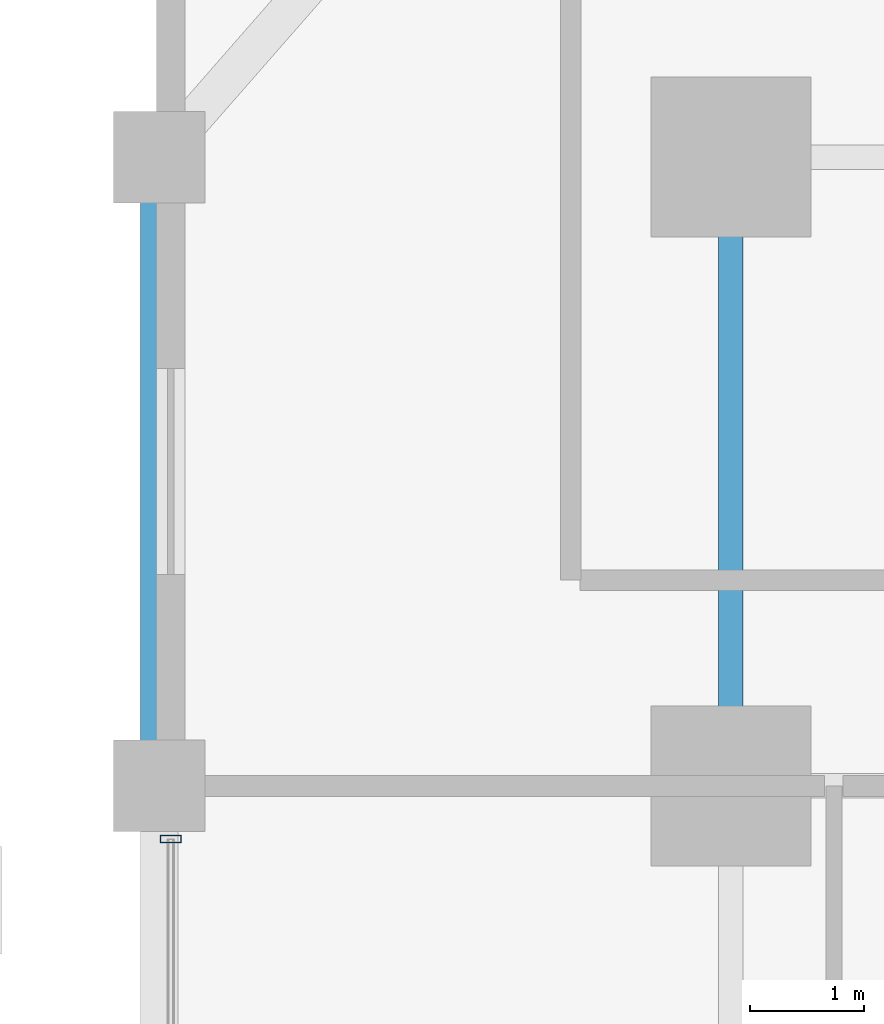
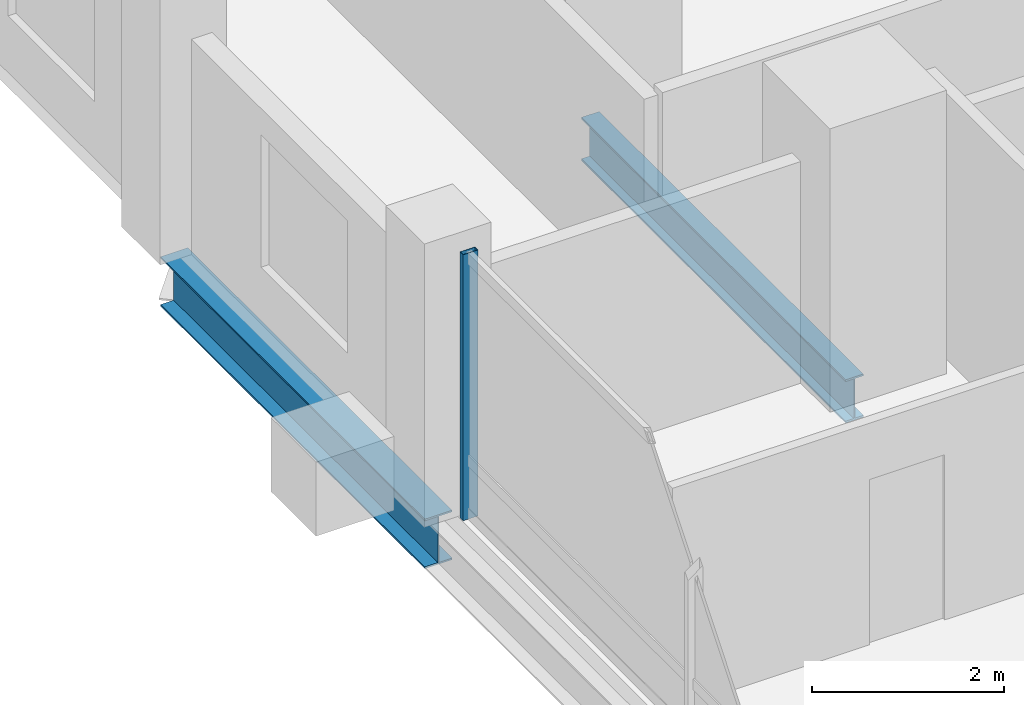
# One storey, part 11 of 23: 2 beams, 1 member, 1 element without a shape of its own.
"""IFC4 building model written with IfcOpenShell, lengths in metres."""

from ifc_helpers import new_model, si_unit, direction, frame, origin, origin_2d, place, context, subcontext, project, spatial, hollow_rectangle, i_section, extrude, material, layer, layer_set, material_profile, profile_set, type_object, element, aggregate, save


model = new_model("IFC4")

# Units and contexts
model_context = context("Model", 3, precision=1e-05, world=origin(), true_north=direction((0.0, 1.0)))
body_context = subcontext(model_context, "Body", "Model", "MODEL_VIEW")
ifc_project = project(units=[si_unit("LENGTHUNIT", "METRE"), si_unit("AREAUNIT", "SQUARE_METRE"), si_unit("VOLUMEUNIT", "CUBIC_METRE"), si_unit("PLANEANGLEUNIT", "RADIAN"), si_unit("MASSUNIT", "GRAM", prefix="KILO")], contexts=[model_context])

# Site, building, storey
site_placement = place(None, origin())
site = spatial("IfcSite", under=ifc_project, at=site_placement, CompositionType="ELEMENT")
building_placement = place(site_placement, origin())
building = spatial("IfcBuilding", under=site, at=building_placement, Name="Barlavira Tower and Art Museum", CompositionType="ELEMENT")
storey_placement = place(building_placement, frame((0.0, 0.0, 64.800048828125)))
storey = spatial("IfcBuildingStorey", under=building, at=storey_placement, Name="L15", CompositionType="ELEMENT", Elevation=64.800048828125)

# Curtain wall, member
ifc_material_1 = material(Name="Low-iron coastal laminated glass", Category="glass")
ifc_layer = layer(ifc_material_1, 0.179931640625, Name="Low-iron coastal laminated glass")
ifc_layer_set = layer_set([ifc_layer], Name="Low-iron coastal laminated glass")
curtain_wall_type = type_object("IfcCurtainWallType", Name="Pale-Metal Unitised Curtain Wall Zone 1", PredefinedType="NOTDEFINED", material=ifc_layer_set)
curtain_wall_placement = place(storey_placement, origin())
curtain_wall = element("IfcCurtainWall", 1, at=curtain_wall_placement, inside=storey, type_object=curtain_wall_type, Name="L15 Curtain Wall CW1-L15-W-B3", PredefinedType="NOTDEFINED")
ifc_material_2 = material(Name="Pale anodised aluminium", Category="aluminium")
ifc_material_profile_1 = material_profile(ifc_material_2, hollow_rectangle(XDim=0.06494140625, YDim=0.179931640625, WallThickness=0.00390625, at=origin_2d()), Name="ALU-MULL 65x180x4")
ifc_profile_set_1 = profile_set([ifc_material_profile_1], Name="Pale anodised aluminium")
member_type = type_object("IfcMemberType", Name="Curtain Wall Pale-Metal Mullion 65x180", PredefinedType="MULLION", material=ifc_profile_set_1)
member_placement = place(storey_placement, frame((-21.89990234375, 7.034912109375, 0.0), z_axis=(0.0, 0.0, 1.0), x_axis=(0.0, -1.0, 0.0)))
member = element("IfcMember", 2, at=member_placement, type_object=member_type, Name="CW1-L15-W-B3 Mullion 0", PredefinedType="MULLION", context=body_context, shape_type="SweptSolid", body=[
    extrude(hollow_rectangle(XDim=0.06494140625, YDim=0.179931640625, WallThickness=0.00390625, at=origin_2d()), origin(), (0.0, 0.0, 1.0), 3.3798828125),
])
aggregate(curtain_wall, [member])

# Beams
ifc_material_3 = material(Name="Steel S355", Category="steel")
ifc_material_profile_2 = material_profile(ifc_material_3, i_section(OverallWidth=0.327880859375, OverallDepth=0.62890625, WebThickness=0.013916015625, FlangeThickness=0.021484375, at=origin_2d()), Name="W610x174.0")
ifc_profile_set_2 = profile_set([ifc_material_profile_2], Name="Steel S355")
beam_type_1 = type_object("IfcBeamType", Name="Perimeter Spandrel Edge Beam W610x174 Steel S355", PredefinedType="SPANDREL", material=ifc_profile_set_2)
beam_1_placement = place(storey_placement, frame((-22.0, 7.5, -0.53466796875), z_axis=(0.0, 1.0, 0.0), x_axis=(-1.0, 0.0, 0.0)))
element("IfcBeam", 3, at=beam_1_placement, inside=storey, type_object=beam_type_1, Name="L15 Spandrel 13", PredefinedType="SPANDREL", context=body_context, shape_type="SweptSolid", body=[
    extrude(i_section(OverallWidth=0.327880859375, OverallDepth=0.62890625, WebThickness=0.013916015625, FlangeThickness=0.021484375, at=origin_2d()), origin(), (0.0, 0.0, 1.0), 5.5),
])
ifc_material_profile_3 = material_profile(ifc_material_3, i_section(OverallWidth=0.214111328125, OverallDepth=0.549072265625, WebThickness=0.0146484375, FlangeThickness=0.023681640625, at=origin_2d()), Name="W530x138.0")
ifc_profile_set_3 = profile_set([ifc_material_profile_3], Name="Steel S355")
beam_type_2 = type_object("IfcBeamType", Name="Zone 1 Primary Floor Girder W530x138 Steel S355", PredefinedType="BEAM", material=ifc_profile_set_3)
beam_2_placement = place(storey_placement, frame((-17.0, 7.5, -0.49462890625), z_axis=(0.0, 1.0, 0.0), x_axis=(-1.0, 0.0, 0.0)))
element("IfcBeam", 4, at=beam_2_placement, inside=storey, type_object=beam_type_2, Name="L15 Girder M-W3", PredefinedType="BEAM", context=body_context, shape_type="SweptSolid", body=[
    extrude(i_section(OverallWidth=0.214111328125, OverallDepth=0.549072265625, WebThickness=0.0146484375, FlangeThickness=0.023681640625, at=origin_2d()), origin(), (0.0, 0.0, 1.0), 5.5),
])

save(model, "model.ifc")
